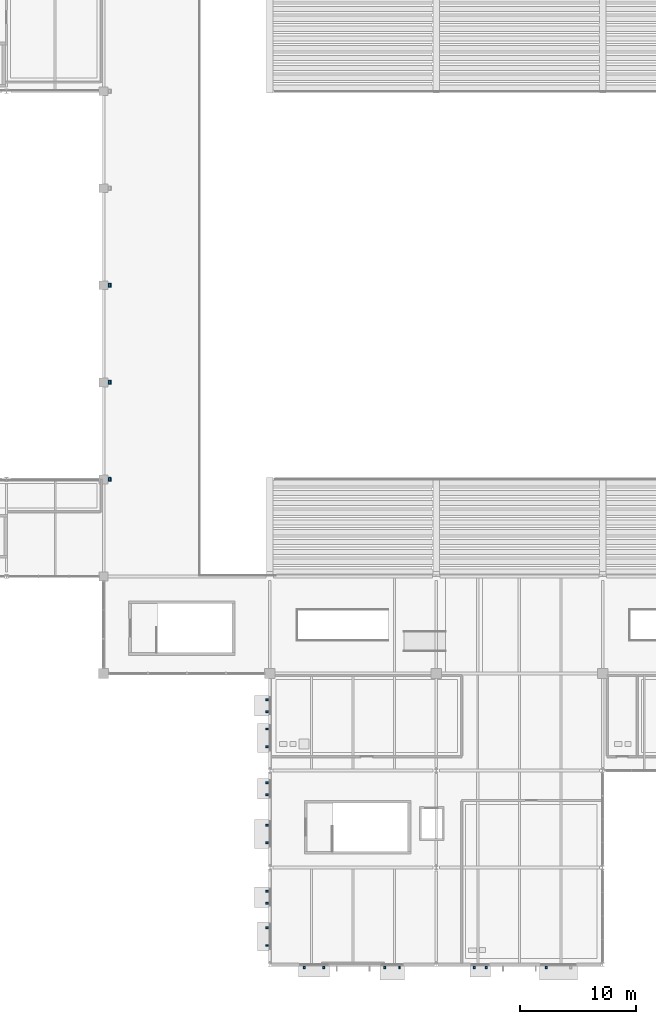
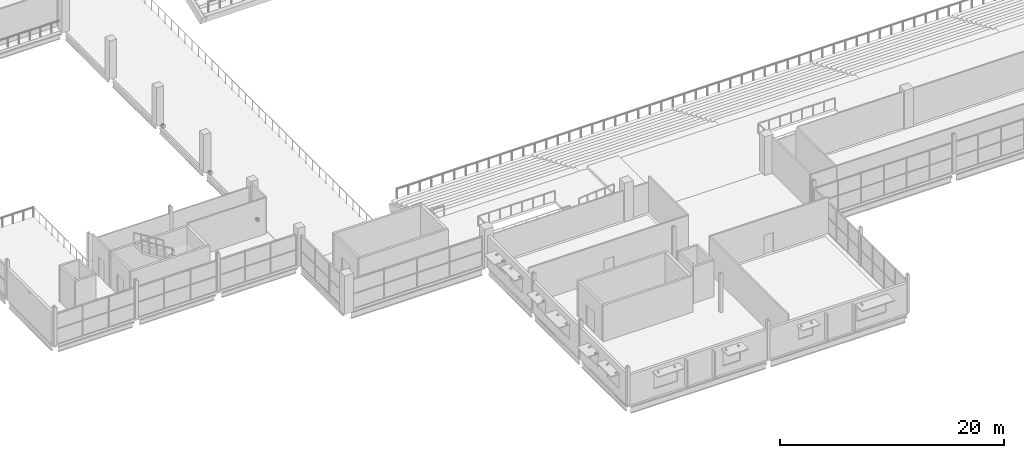
# One storey, part 142 of 161: 25 discrete accessories.
"""IFC4 building model written with IfcOpenShell, lengths in metres."""

import ifcopenshell
import ifcopenshell.guid

model = None  # the IFC model being written
_history = None  # IfcOwnerHistory: only IFC2X3 demands one
_inside = {}  # id of a spatial element -> (the spatial element, [elements in it])
_under = {}  # id of a project, library or spatial element -> (it, [spatial elements below it])
_declared = {}  # id of a project -> (the project, [libraries it declares])
_typed = {}  # id of a type object -> (the type object, [elements of that type])
_made_of = {}  # id of a material, layer set ... -> (it, [elements and type objects made of it])


def new_model(schema):
    """Start an empty IFC model of exactly this schema.

    Asked for "IFC4X3", IfcOpenShell would pick the latest addendum, in which some entities
    have other attributes; the version numbers below select the first issue.
    IFC2X3 requires an IfcOwnerHistory on every rooted entity: one is made here for all.
    """
    global model, _history
    if schema == "IFC4X3":
        model = ifcopenshell.file(schema_version=(4, 3, 0, 0))
    else:
        model = ifcopenshell.file(schema=schema)
    _inside.clear()
    _under.clear()
    _declared.clear()
    _typed.clear()
    _made_of.clear()
    _history = None
    if model.schema == "IFC2X3":
        org = make("IfcOrganization", Name="unknown")
        user = make(
            "IfcPersonAndOrganization",
            ThePerson=make("IfcPerson", FamilyName="unknown"),
            TheOrganization=org,
        )
        app = make(
            "IfcApplication",
            ApplicationDeveloper=org,
            Version="unknown",
            ApplicationFullName="unknown",
            ApplicationIdentifier="unknown",
        )
        _history = make(
            "IfcOwnerHistory",
            OwningUser=user,
            OwningApplication=app,
            ChangeAction="ADDED",
            CreationDate=0,
        )
    return model


def make(cls, **values):
    """One entity of the class cls with the attributes given. An attribute that is None is left unset."""
    return model.create_entity(
        cls, **{name: value for name, value in values.items() if value is not None}
    )


def rooted(cls, **values):
    """An entity with a GlobalId (a new one), such as an element, a storey or a relation."""
    return make(cls, GlobalId=ifcopenshell.guid.new(), OwnerHistory=_history, **values)


def si_unit(unit_type, name, prefix=None):
    """IfcSIUnit, for example si_unit("LENGTHUNIT", "METRE", prefix="MILLI")."""
    return make("IfcSIUnit", UnitType=unit_type, Prefix=prefix, Name=name)


def assignment(units):
    """IfcUnitAssignment: the units of a project."""
    return None if units is None else make("IfcUnitAssignment", Units=units)


def point(xyz):
    """IfcCartesianPoint."""
    return None if xyz is None else make("IfcCartesianPoint", Coordinates=xyz)


def direction(xyz):
    """IfcDirection."""
    return None if xyz is None else make("IfcDirection", DirectionRatios=xyz)


def frame(location, z_axis=None, x_axis=None):
    """IfcAxis2Placement3D, a coordinate frame: its origin and axes. An axis left out is left unset."""
    return make(
        "IfcAxis2Placement3D",
        Location=point(location),
        Axis=direction(z_axis),
        RefDirection=direction(x_axis),
    )


def frame_2d(location, x_axis=None):
    """IfcAxis2Placement2D, a coordinate frame in the plane: its origin and x axis."""
    return make(
        "IfcAxis2Placement2D", Location=point(location), RefDirection=direction(x_axis)
    )


def origin():
    """The frame at (0, 0, 0) with its axes left unset."""
    return frame((0.0, 0.0, 0.0))


def origin_2d():
    """The frame at (0, 0) in the plane with its x axis left unset."""
    return frame_2d((0.0, 0.0))


def place(relative_to, where):
    """IfcLocalPlacement: puts the frame where relative to a parent placement (None: the world)."""
    return make(
        "IfcLocalPlacement", PlacementRelTo=relative_to, RelativePlacement=where
    )


def context(
    kind, dimensions, precision=None, world=None, true_north=None, identifier=None
):
    """IfcGeometricRepresentationContext, for example the 3D "Model" context."""
    return make(
        "IfcGeometricRepresentationContext",
        ContextIdentifier=identifier,
        ContextType=kind,
        CoordinateSpaceDimension=dimensions,
        Precision=precision,
        WorldCoordinateSystem=world,
        TrueNorth=true_north,
    )


def subcontext(parent, identifier, kind, view, scale=None):
    """IfcGeometricRepresentationSubContext, for example "Body" below "Model"."""
    return make(
        "IfcGeometricRepresentationSubContext",
        ContextIdentifier=identifier,
        ContextType=kind,
        ParentContext=parent,
        TargetScale=scale,
        TargetView=view,
    )


def project(units=None, contexts=None):
    """IfcProject with its units and contexts."""
    return rooted(
        "IfcProject",
        Name="project",
        RepresentationContexts=contexts,
        UnitsInContext=assignment(units),
    )


def spatial(cls, under=None, at=None, **own):
    """A site, building, storey or space (cls), placed at a placement, below another one or the project."""
    s = rooted(cls, ObjectPlacement=at, **own)
    if under is not None:
        _under.setdefault(under.id(), (under, []))[1].append(s)
    return s


def profile(cls, at=None, kind="AREA", **sizes):
    """A parametric profile (cls). Its sizes go by their IFC names, for example OverallWidth=200.0."""
    return make(cls, ProfileType=kind, Position=at, **sizes)


def rectangle(**sizes):
    """IfcRectangleProfileDef."""
    return profile("IfcRectangleProfileDef", **sizes)


def extrude(swept, where, along, depth):
    """IfcExtrudedAreaSolid: the profile swept, set in the frame where, extruded along a direction by depth."""
    return make(
        "IfcExtrudedAreaSolid",
        SweptArea=swept,
        Position=where,
        ExtrudedDirection=direction(along),
        Depth=depth,
    )


def shape(context_of_items, identifier, shape_type, items):
    """IfcShapeRepresentation: the items that make up one representation, for example the "Body"."""
    return make(
        "IfcShapeRepresentation",
        ContextOfItems=context_of_items,
        RepresentationIdentifier=identifier,
        RepresentationType=shape_type,
        Items=items,
    )


def material(Name=None, Category=None):
    """IfcMaterial."""
    return make("IfcMaterial", Name=Name, Category=Category)


def layer(
    of_material, thickness, ventilated=None, Name=None, Category=None, Priority=None
):
    """IfcMaterialLayer: one layer of a wall or slab, of a material (None: an air gap)."""
    return make(
        "IfcMaterialLayer",
        Material=of_material,
        LayerThickness=thickness,
        IsVentilated=ventilated,
        Name=Name,
        Category=Category,
        Priority=Priority,
    )


def layer_set(layers, Name=None):
    """IfcMaterialLayerSet."""
    return make("IfcMaterialLayerSet", MaterialLayers=layers, LayerSetName=Name)


def made_of(thing, what):
    """Note that an element or type object is made of a material, layer set ...; save() writes the relation."""
    if what is not None:
        _made_of.setdefault(what.id(), (what, []))[1].append(thing)
    return thing


def type_object(cls, material=None, **own):
    """A type object (cls), such as IfcWallType, which elements share."""
    return made_of(rooted(cls, **own), material)


def element(
    cls,
    number,
    at=None,
    inside=None,
    cuts=None,
    type_object=None,
    material=None,
    context=None,
    identifier="Body",
    shape_type=None,
    held_by="IfcProductDefinitionShape",
    body=None,
    shapes=None,
    **own,
):
    """One element of the class cls, such as IfcWall. Its Tag is "e" and its number.

    at: its placement. inside: the storey or other place that contains it. cuts: it is an
    opening in that element (IfcRelVoidsElement). A single representation is given by context,
    identifier, shape_type and body (its items); several are given by shapes. held_by: the class
    of the entity that holds the representations. save() writes the other relations.
    """
    e = rooted(cls, Tag="e%d" % number, ObjectPlacement=at, **own)
    if body is not None:
        shapes = [shape(context, identifier, shape_type, body)]
    if shapes is not None:
        e.Representation = make(held_by, Representations=shapes)
    if inside is not None:
        _inside.setdefault(inside.id(), (inside, []))[1].append(e)
    if cuts is not None:
        rooted(
            "IfcRelVoidsElement", RelatingBuildingElement=cuts, RelatedOpeningElement=e
        )
    if type_object is not None:
        _typed.setdefault(type_object.id(), (type_object, []))[1].append(e)
    return made_of(e, material)


def aggregate(whole, parts):
    """IfcRelAggregates: a whole, such as a stair, and the parts it consists of."""
    return rooted("IfcRelAggregates", RelatingObject=whole, RelatedObjects=parts)


def save(model, path):
    """Write the relations noted so far, then the file.

    IfcRelAggregates (storeys below a building ...), IfcRelContainedInSpatialStructure (elements
    in a storey), IfcRelDefinesByType, IfcRelAssociatesMaterial and IfcRelDeclares: one each for
    every whole, place, type object, material and project.
    """
    for whole, parts in _under.values():
        aggregate(whole, parts)
    for where, things in _inside.values():
        rooted(
            "IfcRelContainedInSpatialStructure",
            RelatedElements=things,
            RelatingStructure=where,
        )
    for kind, things in _typed.values():
        rooted("IfcRelDefinesByType", RelatedObjects=things, RelatingType=kind)
    for what, things in _made_of.values():
        rooted("IfcRelAssociatesMaterial", RelatedObjects=things, RelatingMaterial=what)
    for by, libraries in _declared.values():
        rooted("IfcRelDeclares", RelatingContext=by, RelatedDefinitions=libraries)
    model.write(path)


model = new_model("IFC4")

# Units and contexts
model_context = context("Model", 3, precision=1e-05, world=origin(), true_north=direction((0.0, 1.0)))
body_context = subcontext(model_context, "Body", "Model", "MODEL_VIEW")
ifc_project = project(units=[si_unit("LENGTHUNIT", "METRE"), si_unit("AREAUNIT", "SQUARE_METRE"), si_unit("VOLUMEUNIT", "CUBIC_METRE"), si_unit("PLANEANGLEUNIT", "RADIAN"), si_unit("MASSUNIT", "GRAM", prefix="KILO"), si_unit("THERMODYNAMICTEMPERATUREUNIT", "KELVIN")], contexts=[model_context])

# Site, building, storey
site_placement = place(None, origin())
site = spatial("IfcSite", under=ifc_project, at=site_placement, CompositionType="ELEMENT")
building_placement = place(site_placement, origin())
building = spatial("IfcBuilding", under=site, at=building_placement, Name="Nduvali Passage Aquatics Centre", CompositionType="ELEMENT")
storey_placement = place(building_placement, frame((0.0, 0.0, 4.800048828125)))
storey = spatial("IfcBuildingStorey", under=building, at=storey_placement, Name="L01", CompositionType="ELEMENT", Elevation=4.800048828125)

# Discrete accessories
ifc_material_1 = material(Name="Steel S355", Category="steel")
discrete_accessory_type_1 = type_object("IfcDiscreteAccessoryType", Name="ENV-BRK-S355", PredefinedType="BRACKET", material=ifc_material_1)
for number, where, z_axis, x_axis, name in (
    (1, (42.575927734375, -0.25, 2.5849609375), (0.0, 0.0, 1.0), (1.0, 0.0, 0.0), "L01 Sunshade Bracket 0031"),
    (2, (44.256103515625, -0.25, 2.5849609375), (0.0, 0.0, 1.0), (1.0, 0.0, 0.0), "L01 Sunshade Bracket 0032"),
    (3, (49.553955078125, -0.25, 2.580078125), (0.0, 0.0, 1.0), (1.0, 0.0, 0.0), "L01 Sunshade Bracket 0033"),
    (4, (50.81396484375, -0.25, 2.580078125), (0.0, 0.0, 1.0), (1.0, 0.0, 0.0), "L01 Sunshade Bracket 0034"),
    (5, (57.291015625, -0.25, 2.43505859375), (0.0, 0.0, 1.0), (1.0, 0.0, 0.0), "L01 Sunshade Bracket 0035"),
    (6, (58.341064453125, -0.25, 2.43505859375), (0.0, 0.0, 1.0), (1.0, 0.0, 0.0), "L01 Sunshade Bracket 0036"),
    (7, (63.533935546875, -0.25, 2.580078125), (0.0, 0.0, 1.0), (1.0, 0.0, 0.0), "L01 Sunshade Bracket 0037"),
    (8, (39.35009765625, 6.35205078125, 2.43017578125), (0.0, 0.0, 1.0), (0.0, -1.0, 0.0), "L01 Sunshade Bracket 0047"),
    (9, (39.35009765625, 5.302001953125, 2.43017578125), (0.0, 0.0, 1.0), (0.0, -1.0, 0.0), "L01 Sunshade Bracket 0048"),
    (10, (39.35009765625, 3.19091796875, 2.48486328125), (0.0, 0.0, 1.0), (0.0, -1.0, 0.0), "L01 Sunshade Bracket 0049"),
    (11, (39.35009765625, 1.65087890625, 2.48486328125), (0.0, 0.0, 1.0), (0.0, -1.0, 0.0), "L01 Sunshade Bracket 0050"),
    (12, (39.35009765625, 15.741943359375, 2.43505859375), (0.0, 0.0, 1.0), (0.0, -1.0, 0.0), "L01 Sunshade Bracket 0055"),
    (13, (39.35009765625, 14.69189453125, 2.43505859375), (0.0, 0.0, 1.0), (0.0, -1.0, 0.0), "L01 Sunshade Bracket 0056"),
    (14, (39.35009765625, 12.0810546875, 2.47998046875), (0.0, 0.0, 1.0), (0.0, -1.0, 0.0), "L01 Sunshade Bracket 0057"),
    (15, (39.35009765625, 10.541015625, 2.47998046875), (0.0, 0.0, 1.0), (0.0, -1.0, 0.0), "L01 Sunshade Bracket 0058"),
    (16, (39.35009765625, 22.93505859375, 2.43017578125), (0.0, 0.0, 1.0), (0.0, -1.0, 0.0), "L01 Sunshade Bracket 0061"),
    (17, (39.35009765625, 21.885009765625, 2.43017578125), (0.0, 0.0, 1.0), (0.0, -1.0, 0.0), "L01 Sunshade Bracket 0062"),
    (18, (39.35009765625, 20.404052734375, 2.48486328125), (0.0, 0.0, 1.0), (0.0, -1.0, 0.0), "L01 Sunshade Bracket 0063"),
    (19, (39.35009765625, 18.864013671875, 2.48486328125), (0.0, 0.0, 1.0), (0.0, -1.0, 0.0), "L01 Sunshade Bracket 0064"),
):
    element("IfcDiscreteAccessory", number, at=place(storey_placement, frame(where, z_axis=z_axis, x_axis=x_axis)), inside=storey, type_object=discrete_accessory_type_1, Name=name, PredefinedType="BRACKET", context=body_context, shape_type="SweptSolid", body=[
        extrude(rectangle(XDim=0.159912109375, YDim=0.239990234375, at=origin_2d()), origin(), (0.0, 0.0, 1.0), 0.179931640625),
    ])
ifc_material_2 = material(Name="Concrete C40/50", Category="concrete")
discrete_accessory_type_2 = type_object("IfcDiscreteAccessoryType", Name="STR-ACC-CRB320", PredefinedType="BRACKET", material=ifc_material_2)
for number, where, z_axis, x_axis, name in (
    (20, (25.735107421875, 42.0, -0.60205078125), (0.0, 0.0, 1.0), (1.0, 0.0, 0.0), "L01 Movement Joint MJ1 RC Corbel CRB1-001"),
    (21, (25.735107421875, 50.39990234375, -0.60205078125), (0.0, 0.0, 1.0), (1.0, 0.0, 0.0), "L01 Movement Joint MJ1 RC Corbel CRB1-002"),
    (22, (25.735107421875, 58.800048828125, -0.60205078125), (0.0, 0.0, 1.0), (1.0, 0.0, 0.0), "L01 Movement Joint MJ1 RC Corbel CRB1-003"),
):
    element("IfcDiscreteAccessory", number, at=place(storey_placement, frame(where, z_axis=z_axis, x_axis=x_axis)), inside=storey, type_object=discrete_accessory_type_2, Name=name, PredefinedType="BRACKET", context=body_context, shape_type="SweptSolid", body=[
        extrude(rectangle(XDim=0.320068359375, YDim=0.3798828125, at=origin_2d()), origin(), (0.0, 0.0, 1.0), 0.300048828125),
    ])
ifc_layer = layer(ifc_material_1, 0.02197265625, Name="Steel S355")
ifc_layer_set = layer_set([ifc_layer], Name="Steel S355")
discrete_accessory_type_3 = type_object("IfcDiscreteAccessoryType", Name="STR-ACC-PTFE140", PredefinedType="SHOE", material=ifc_layer_set)
for number, where, z_axis, x_axis, name in (
    (23, (25.735107421875, 42.0, -0.302001953125), (0.0, 0.0, 1.0), (1.0, 0.0, 0.0), "L01 Movement Joint MJ1 PTFE Bearing Pad PTFE1-001"),
    (24, (25.735107421875, 50.39990234375, -0.302001953125), (0.0, 0.0, 1.0), (1.0, 0.0, 0.0), "L01 Movement Joint MJ1 PTFE Bearing Pad PTFE1-002"),
    (25, (25.735107421875, 58.800048828125, -0.302001953125), (0.0, 0.0, 1.0), (1.0, 0.0, 0.0), "L01 Movement Joint MJ1 PTFE Bearing Pad PTFE1-003"),
):
    element("IfcDiscreteAccessory", number, at=place(storey_placement, frame(where, z_axis=z_axis, x_axis=x_axis)), inside=storey, type_object=discrete_accessory_type_3, Name=name, PredefinedType="SHOE", context=body_context, shape_type="SweptSolid", body=[
        extrude(rectangle(XDim=0.139892578125, YDim=0.340087890625, at=origin_2d()), origin(), (0.0, 0.0, 1.0), 0.02197265625),
    ])

save(model, "model.ifc")
